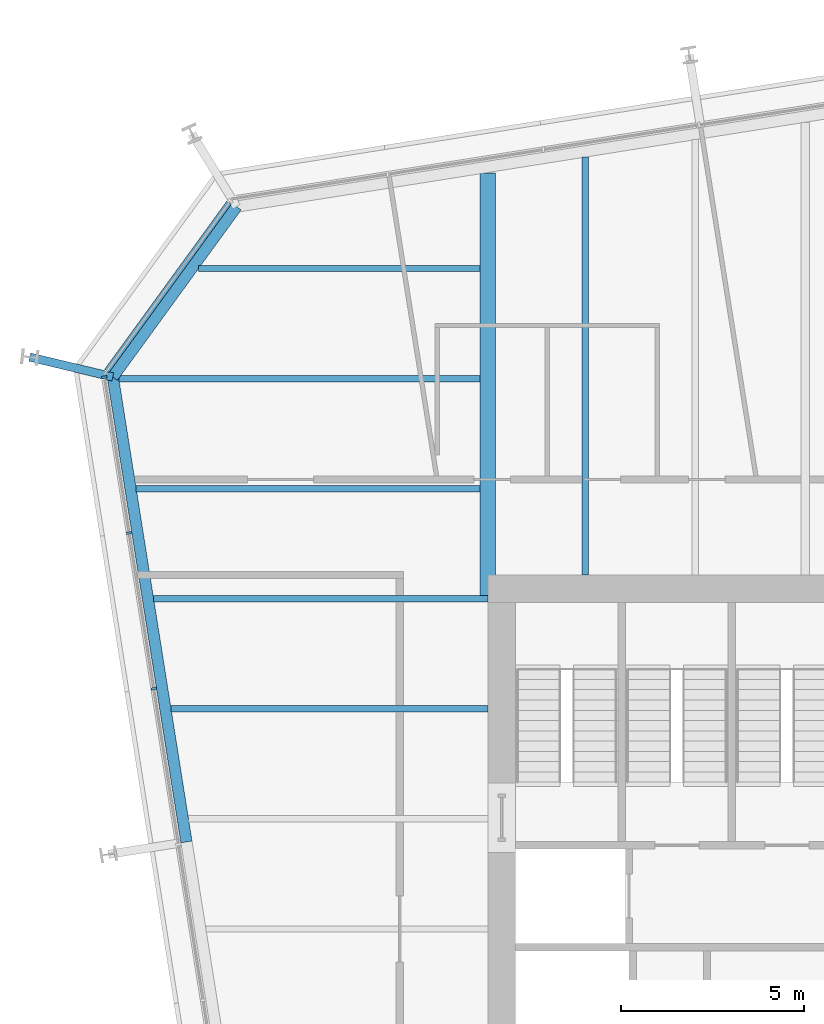
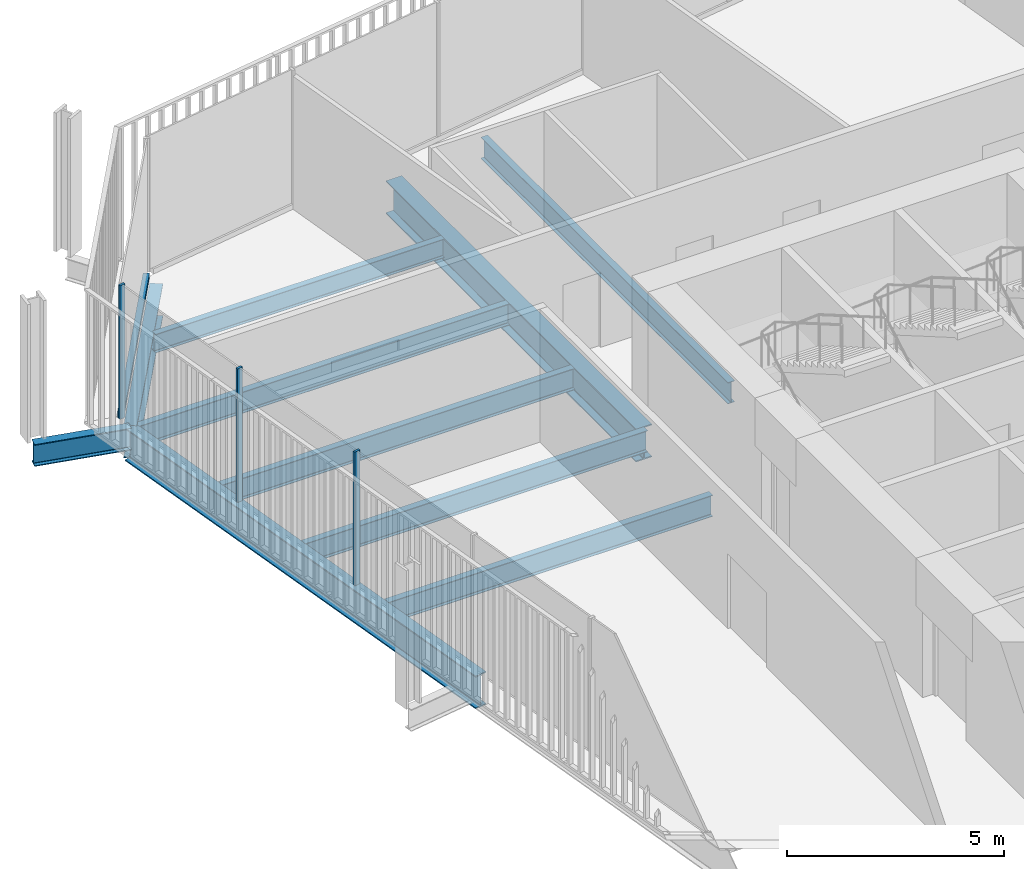
# One storey, part 10 of 21: 10 beams, 4 members, 2 elements without a shape of their own.
"""IFC4 building model written with IfcOpenShell, lengths in metres."""

from ifc_helpers import new_model, si_unit, direction, frame, origin, origin_2d, place, context, subcontext, project, spatial, rectangle, i_section, extrude, material, layer, layer_set, material_profile, profile_set, type_object, element, aggregate, save


model = new_model("IFC4")

# Units and contexts
model_context = context("Model", 3, precision=1e-05, world=origin(), true_north=direction((0.0, 1.0)))
body_context = subcontext(model_context, "Body", "Model", "MODEL_VIEW")
ifc_project = project(units=[si_unit("LENGTHUNIT", "METRE"), si_unit("AREAUNIT", "SQUARE_METRE"), si_unit("VOLUMEUNIT", "CUBIC_METRE"), si_unit("PLANEANGLEUNIT", "RADIAN"), si_unit("MASSUNIT", "GRAM", prefix="KILO")], contexts=[model_context])

# Site, building, storey
site_placement = place(None, origin())
site = spatial("IfcSite", under=ifc_project, at=site_placement, CompositionType="ELEMENT")
building_placement = place(site_placement, origin())
building = spatial("IfcBuilding", under=site, at=building_placement, Name="Millrace Tower", CompositionType="ELEMENT")
storey_placement = place(building_placement, frame((0.0, 0.0, 183.89990234375)))
storey = spatial("IfcBuildingStorey", under=building, at=storey_placement, Name="L41", CompositionType="ELEMENT", Elevation=183.89990234375)

# Curtain wall, members
ifc_material_1 = material(Name="Aluminium and glass", Category="aluminium")
ifc_layer = layer(ifc_material_1, 0.14990234375)
ifc_layer_set = layer_set([ifc_layer], Name="Aluminium and glass")
curtain_wall_type = type_object("IfcCurtainWallType", Name="CW-1 office vision curtain wall", PredefinedType="NOTDEFINED", material=ifc_layer_set)
placement = place(storey_placement, origin())
curtain_wall_1 = element("IfcCurtainWall", 1, at=placement, inside=storey, type_object=curtain_wall_type, Name="Curtain wall C-F08 L41", PredefinedType="NOTDEFINED")
ifc_material_2 = material(Name="Aluminium", Category="aluminium")
ifc_material_profile_1 = material_profile(ifc_material_2, rectangle(XDim=0.06494140625, YDim=0.14990234375, at=origin_2d()))
ifc_profile_set_1 = profile_set([ifc_material_profile_1], Name="Aluminium")
member_type_1 = type_object("IfcMemberType", Name="CW-1 office vision curtain wall mullion", PredefinedType="MULLION", material=ifc_profile_set_1)
member_1_placement = place(storey_placement, frame((-25.106689453125, 15.041748046875, 0.14013671875), z_axis=(0.0, 0.0, 1.0), x_axis=(0.15643447328, -0.98768833929, 0.0)))
member_1 = element("IfcMember", 2, at=member_1_placement, type_object=member_type_1, Name="CW1 mullion C-F08.1", PredefinedType="MULLION", context=body_context, shape_type="SweptSolid", body=[
    extrude(rectangle(XDim=0.06494140625, YDim=0.14990234375, at=origin_2d()), origin(), (0.0, 0.0, 1.0), 3.760009765625),
])
member_2_placement = place(storey_placement, frame((-24.43408203125, 10.794677734375, 0.14013671875), z_axis=(0.0, 0.0, 1.0), x_axis=(0.15643447328, -0.98768833929, 0.0)))
member_2 = element("IfcMember", 3, at=member_2_placement, type_object=member_type_1, Name="CW1 mullion C-F08.2", PredefinedType="MULLION", context=body_context, shape_type="SweptSolid", body=[
    extrude(rectangle(XDim=0.06494140625, YDim=0.14990234375, at=origin_2d()), origin(), (0.0, 0.0, 1.0), 3.760009765625),
])
member_3_placement = place(storey_placement, frame((-23.76123046875, 6.547607421875, 0.14013671875), z_axis=(0.0, 0.0, 1.0), x_axis=(0.15643447328, -0.98768833929, 0.0)))
member_3 = element("IfcMember", 4, at=member_3_placement, type_object=member_type_1, Name="CW1 mullion C-F08.3", PredefinedType="MULLION", context=body_context, shape_type="SweptSolid", body=[
    extrude(rectangle(XDim=0.06494140625, YDim=0.14990234375, at=origin_2d()), origin(), (0.0, 0.0, 1.0), 3.760009765625),
])
aggregate(curtain_wall_1, [member_1, member_2, member_3])

# Curtain wall, member
curtain_wall_2 = element("IfcCurtainWall", 5, at=placement, inside=storey, type_object=curtain_wall_type, Name="Curtain wall C-F07 L41", PredefinedType="NOTDEFINED")
ifc_material_3 = material(Name="Aluminium", Category="aluminium")
ifc_material_profile_2 = material_profile(ifc_material_3, rectangle(XDim=0.14990234375, YDim=0.139892578125, at=origin_2d()))
ifc_profile_set_2 = profile_set([ifc_material_profile_2], Name="Aluminium")
member_type_2 = type_object("IfcMemberType", Name="CW-1 office vision curtain wall transom", PredefinedType="USERDEFINED", material=ifc_profile_set_2)
member_4_placement = place(storey_placement, frame((-21.70751953125, 19.796875, 0.070068359375), z_axis=(-0.587761915215, -0.80903394924, 0.0), x_axis=(0.80903394924, -0.587761915215, 0.0)))
member_4 = element("IfcMember", 6, at=member_4_placement, type_object=member_type_2, Name="CW1 transom C-F07.1", ObjectType="TRANSOM", PredefinedType="USERDEFINED", context=body_context, shape_type="SweptSolid", body=[
    extrude(rectangle(XDim=0.14990234375, YDim=0.139892578125, at=origin_2d()), origin(), (0.0, 0.0, 1.0), 5.6689453125),
])
aggregate(curtain_wall_2, [member_4])

# Beams
ifc_material_4 = material(Name="Steel ASTM A992 Grade 50", Category="steel")
ifc_material_profile_3 = material_profile(ifc_material_4, i_section(OverallWidth=0.1650390625, OverallDepth=0.52587890625, WebThickness=0.0087890625, FlangeThickness=0.011474609375, FilletRadius=0.0126953125, at=origin_2d()))
ifc_profile_set_3 = profile_set([ifc_material_profile_3], Name="Steel ASTM A992 Grade 50")
beam_type_1 = type_object("IfcBeamType", Name="Floor beam W21x44", PredefinedType="JOIST", material=ifc_profile_set_3)
beam_1_placement = place(storey_placement, frame((-22.540283203125, 18.0, -0.4228515625), z_axis=(1.0, 0.0, 0.0), x_axis=(0.0, 1.0, 0.0)))
element("IfcBeam", 7, at=beam_1_placement, inside=storey, type_object=beam_type_1, Name="BM-C-L41-S1-S035", PredefinedType="JOIST", context=body_context, shape_type="SweptSolid", body=[
    extrude(i_section(OverallWidth=0.1650390625, OverallDepth=0.52587890625, WebThickness=0.0087890625, FlangeThickness=0.011474609375, FilletRadius=0.0126953125, at=origin_2d()), origin(), (0.0, 0.0, 1.0), 7.6806640625),
])
ifc_material_5 = material(Name="Steel ASTM A992 Grade 50", Category="steel")
ifc_material_profile_4 = material_profile(ifc_material_5, i_section(OverallWidth=0.177978515625, OverallDepth=0.599365234375, WebThickness=0.010009765625, FlangeThickness=0.012939453125, FilletRadius=0.012939453125, at=origin_2d()))
ifc_profile_set_4 = profile_set([ifc_material_profile_4], Name="Steel ASTM A992 Grade 50")
beam_type_2 = type_object("IfcBeamType", Name="Floor beam W24x55", PredefinedType="JOIST", material=ifc_profile_set_4)
beam_2_placement = place(storey_placement, frame((-23.28759765625, 6.0, -0.459716796875), z_axis=(1.0, 0.0, 0.0), x_axis=(0.0, 1.0, 0.0)))
element("IfcBeam", 8, at=beam_2_placement, inside=storey, type_object=beam_type_2, Name="BM-C-L41-S1-S026", PredefinedType="JOIST", context=body_context, shape_type="SweptSolid", body=[
    extrude(i_section(OverallWidth=0.177978515625, OverallDepth=0.599365234375, WebThickness=0.010009765625, FlangeThickness=0.012939453125, FilletRadius=0.012939453125, at=origin_2d()), origin(), (0.0, 0.0, 1.0), 8.6376953125),
])
beam_3_placement = place(storey_placement, frame((-23.7626953125, 9.0, -0.459716796875), z_axis=(1.0, 0.0, 0.0), x_axis=(0.0, 1.0, 0.0)))
element("IfcBeam", 9, at=beam_3_placement, inside=storey, type_object=beam_type_2, Name="BM-C-L41-S1-S029", PredefinedType="JOIST", context=body_context, shape_type="SweptSolid", body=[
    extrude(i_section(OverallWidth=0.177978515625, OverallDepth=0.599365234375, WebThickness=0.010009765625, FlangeThickness=0.012939453125, FilletRadius=0.012939453125, at=origin_2d()), origin(), (0.0, 0.0, 1.0), 9.11279296875),
])
beam_4_placement = place(storey_placement, frame((-24.23779296875, 12.0, -0.459716796875), z_axis=(1.0, 0.0, 0.0), x_axis=(0.0, 1.0, 0.0)))
element("IfcBeam", 10, at=beam_4_placement, inside=storey, type_object=beam_type_2, Name="BM-C-L41-S1-S031", PredefinedType="JOIST", context=body_context, shape_type="SweptSolid", body=[
    extrude(i_section(OverallWidth=0.177978515625, OverallDepth=0.599365234375, WebThickness=0.010009765625, FlangeThickness=0.012939453125, FilletRadius=0.012939453125, at=origin_2d()), origin(), (0.0, 0.0, 1.0), 9.378173828125),
])
beam_5_placement = place(storey_placement, frame((-24.712890625, 15.0, -0.459716796875), z_axis=(1.0, 0.0, 0.0), x_axis=(0.0, 1.0, 0.0)))
element("IfcBeam", 11, at=beam_5_placement, inside=storey, type_object=beam_type_2, Name="BM-C-L41-S1-S033", PredefinedType="JOIST", context=body_context, shape_type="SweptSolid", body=[
    extrude(i_section(OverallWidth=0.177978515625, OverallDepth=0.599365234375, WebThickness=0.010009765625, FlangeThickness=0.012939453125, FilletRadius=0.012939453125, at=origin_2d()), origin(), (0.0, 0.0, 1.0), 9.853271484375),
])
ifc_material_6 = material(Name="Steel ASTM A992 Grade 50", Category="steel")
ifc_material_profile_5 = material_profile(ifc_material_6, i_section(OverallWidth=0.1787109375, OverallDepth=0.60205078125, WebThickness=0.010986328125, FlangeThickness=0.014892578125, FilletRadius=0.0126953125, at=origin_2d()))
ifc_profile_set_5 = profile_set([ifc_material_profile_5], Name="Steel ASTM A992 Grade 50")
beam_type_3 = type_object("IfcBeamType", Name="Floor beam W24x62", PredefinedType="JOIST", material=ifc_profile_set_5)
beam_6_placement = place(storey_placement, frame((-12.0, 9.64990234375, -0.4609375), z_axis=(0.0, 1.0, 0.0), x_axis=(-1.0, 0.0, 0.0)))
element("IfcBeam", 12, at=beam_6_placement, inside=storey, type_object=beam_type_3, Name="BM-C-L41-S1-S039", PredefinedType="JOIST", context=body_context, shape_type="SweptSolid", body=[
    extrude(i_section(OverallWidth=0.1787109375, OverallDepth=0.60205078125, WebThickness=0.010986328125, FlangeThickness=0.014892578125, FilletRadius=0.0126953125, at=origin_2d()), origin(), (0.0, 0.0, 1.0), 11.39111328125),
])
ifc_material_7 = material(Name="Steel ASTM A992 Grade 50", Category="steel")
ifc_material_profile_6 = material_profile(ifc_material_7, i_section(OverallWidth=0.419189453125, OverallDepth=0.927001953125, WebThickness=0.019287109375, FlangeThickness=0.031982421875, FilletRadius=0.024169921875, at=origin_2d()))
ifc_profile_set_6 = profile_set([ifc_material_profile_6], Name="Steel ASTM A992 Grade 50")
beam_type_4 = type_object("IfcBeamType", Name="Girder short span W36x231", PredefinedType="BEAM", material=ifc_profile_set_6)
beam_7_placement = place(storey_placement, frame((-14.64990234375, 9.090087890625, -0.62353515625), z_axis=(0.0, 1.0, 0.0), x_axis=(-1.0, 0.0, 0.0)))
element("IfcBeam", 13, at=beam_7_placement, inside=storey, type_object=beam_type_4, Name="BM-C-L41-S1-G057", PredefinedType="BEAM", context=body_context, shape_type="SweptSolid", body=[
    extrude(i_section(OverallWidth=0.419189453125, OverallDepth=0.927001953125, WebThickness=0.019287109375, FlangeThickness=0.031982421875, FilletRadius=0.024169921875, at=origin_2d()), origin(), (0.0, 0.0, 1.0), 11.523193359375),
])
ifc_material_8 = material(Name="Steel ASTM A992 Grade 50", Category="steel")
ifc_material_profile_7 = material_profile(ifc_material_8, i_section(OverallWidth=0.23046875, OverallDepth=0.6171875, WebThickness=0.01318359375, FlangeThickness=0.022216796875, FilletRadius=0.012939453125, at=origin_2d()))
ifc_profile_set_7 = profile_set([ifc_material_profile_7], Name="Steel ASTM A992 Grade 50")
beam_type_5 = type_object("IfcBeamType", Name="Link beam W24x94", PredefinedType="BEAM", material=ifc_profile_set_7)
beam_8_placement = place(storey_placement, frame((-24.8759765625, 15.046630859375, -0.468505859375), z_axis=(-0.972367333652, 0.233456138164, 0.0), x_axis=(-0.233456138164, -0.972367333652, 0.0)))
element("IfcBeam", 14, at=beam_8_placement, inside=storey, type_object=beam_type_5, Name="LNK-C-L41-S1-04", PredefinedType="BEAM", context=body_context, shape_type="SweptSolid", body=[
    extrude(i_section(OverallWidth=0.23046875, OverallDepth=0.6171875, WebThickness=0.01318359375, FlangeThickness=0.022216796875, FilletRadius=0.012939453125, at=origin_2d()), origin(), (0.0, 0.0, 1.0), 2.3310546875),
])
ifc_material_9 = material(Name="Steel ASTM A992 Grade 50", Category="steel")
ifc_material_profile_8 = material_profile(ifc_material_9, i_section(OverallWidth=0.307373046875, OverallDepth=0.927001953125, WebThickness=0.01953125, FlangeThickness=0.031982421875, FilletRadius=0.01904296875, at=origin_2d()))
ifc_profile_set_8 = profile_set([ifc_material_profile_8], Name="Steel ASTM A992 Grade 50")
beam_type_6 = type_object("IfcBeamType", Name="Ring beam medium span W36x194", PredefinedType="SPANDREL", material=ifc_profile_set_8)
beam_9_placement = place(storey_placement, frame((-22.867919921875, 2.368408203125, -0.62353515625), z_axis=(-0.156436246498, 0.987688058438, 0.0), x_axis=(-0.987688058438, -0.156436246498, 0.0)))
element("IfcBeam", 15, at=beam_9_placement, inside=storey, type_object=beam_type_6, Name="RNG-C-L41-S1-03", PredefinedType="SPANDREL", context=body_context, shape_type="SweptSolid", body=[
    extrude(i_section(OverallWidth=0.307373046875, OverallDepth=0.927001953125, WebThickness=0.01953125, FlangeThickness=0.031982421875, FilletRadius=0.01904296875, at=origin_2d()), origin(), (0.0, 0.0, 1.0), 12.836181640625),
])
ifc_material_10 = material(Name="Steel ASTM A992 Grade 50", Category="steel")
ifc_material_profile_9 = material_profile(ifc_material_10, i_section(OverallWidth=0.307373046875, OverallDepth=0.927001953125, WebThickness=0.01953125, FlangeThickness=0.031982421875, FilletRadius=0.01904296875, at=origin_2d()))
ifc_profile_set_9 = profile_set([ifc_material_profile_9], Name="Steel ASTM A992 Grade 50")
beam_type_7 = type_object("IfcBeamType", Name="Ring beam short span W36x194", PredefinedType="SPANDREL", material=ifc_profile_set_9)
beam_10_placement = place(storey_placement, frame((-24.8759765625, 15.046630859375, -0.62353515625), z_axis=(0.587787348381, 0.809015471473, 0.0), x_axis=(-0.809015471473, 0.587787348381, 0.0)))
element("IfcBeam", 16, at=beam_10_placement, inside=storey, type_object=beam_type_7, Name="RNG-C-L41-S1-04", PredefinedType="SPANDREL", context=body_context, shape_type="SweptSolid", body=[
    extrude(i_section(OverallWidth=0.307373046875, OverallDepth=0.927001953125, WebThickness=0.01953125, FlangeThickness=0.031982421875, FilletRadius=0.01904296875, at=origin_2d()), origin(), (0.0, 0.0, 1.0), 5.741943359375),
])

save(model, "model.ifc")
